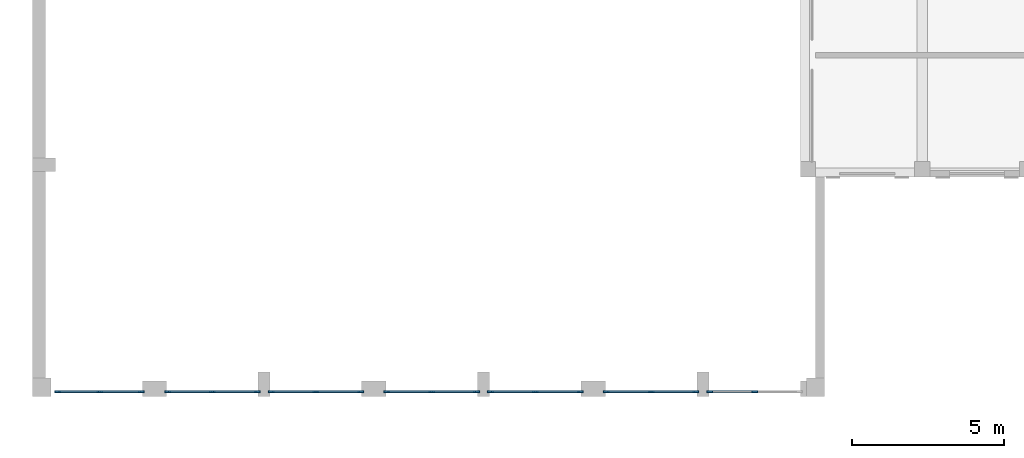
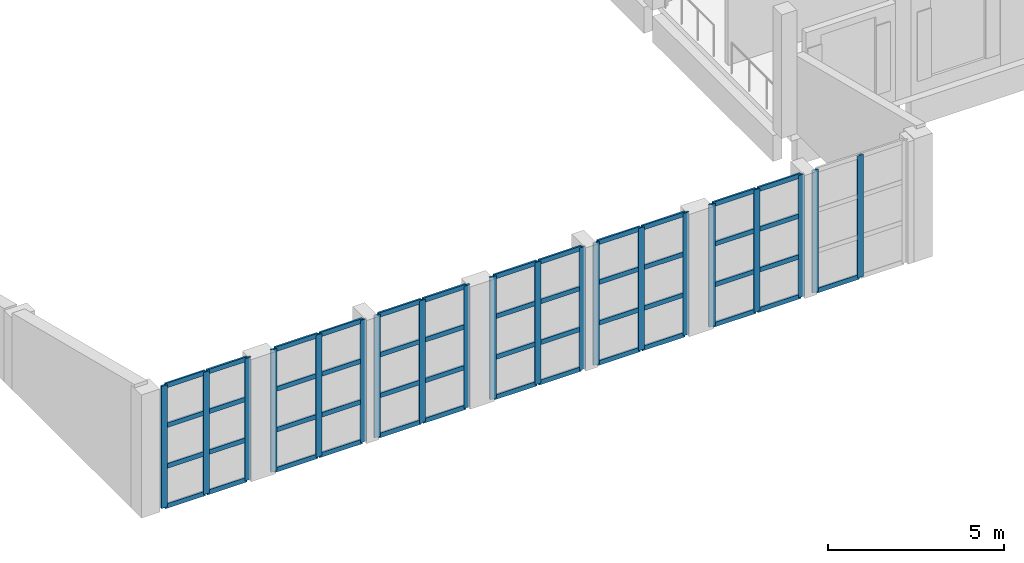
# One storey, part 3 of 54: 69 members, 7 elements without a shape of their own.
"""IFC4 building model written with IfcOpenShell, lengths in metres."""

from ifc_helpers import new_model, si_unit, direction, frame, origin, origin_2d, place, context, subcontext, project, spatial, rectangle, extrude, material, layer, layer_set, material_profile, profile_set, type_object, element, aggregate, save


model = new_model("IFC4")

# Units and contexts
model_context = context("Model", 3, precision=1e-05, world=origin(), true_north=direction((0.0, 1.0)))
body_context = subcontext(model_context, "Body", "Model", "MODEL_VIEW")
ifc_project = project(units=[si_unit("LENGTHUNIT", "METRE"), si_unit("AREAUNIT", "SQUARE_METRE"), si_unit("VOLUMEUNIT", "CUBIC_METRE"), si_unit("PLANEANGLEUNIT", "RADIAN"), si_unit("MASSUNIT", "GRAM", prefix="KILO")], contexts=[model_context])

# Site, building, storey
site_placement = place(None, origin())
site = spatial("IfcSite", under=ifc_project, at=site_placement, CompositionType="ELEMENT")
building_placement = place(site_placement, origin())
building = spatial("IfcBuilding", under=site, at=building_placement, Name="Ussher Court Research Institute", CompositionType="ELEMENT")
storey_placement = place(building_placement, frame((0.0, 0.0, 14.39990234375)))
storey = spatial("IfcBuildingStorey", under=building, at=storey_placement, Name="L03", CompositionType="ELEMENT", Elevation=14.39990234375)

# Curtain wall, members
ifc_material_1 = material(Name="Bronze anodised aluminium with low-e glass", Category="aluminium")
ifc_layer = layer(ifc_material_1, 0.159912109375)
ifc_layer_set = layer_set([ifc_layer], Name="Bronze anodised aluminium with low-e glass")
curtain_wall_type = type_object("IfcCurtainWallType", Name="Curtain wall lecture theatre gable glazing", PredefinedType="NOTDEFINED", material=ifc_layer_set)
curtain_wall_1_placement = place(storey_placement, origin())
curtain_wall_1 = element("IfcCurtainWall", 1, at=curtain_wall_1_placement, inside=storey, type_object=curtain_wall_type, Name="Curtain wall CW5 L03", PredefinedType="NOTDEFINED")
ifc_material_2 = material(Name="Bronze anodised aluminium", Category="aluminium")
ifc_material_profile_1 = material_profile(ifc_material_2, rectangle(XDim=0.06005859375, YDim=0.199951171875, at=origin_2d()), Name="Mullion 60x200")
ifc_profile_set_1 = profile_set([ifc_material_profile_1], Name="Bronze anodised aluminium")
member_type_1 = type_object("IfcMemberType", Name="Mullion 60x200", PredefinedType="MULLION", material=ifc_profile_set_1)
member_1_placement = place(storey_placement, frame((26.300048828125, 3.75, 0.0), z_axis=(0.0, 0.0, 1.0), x_axis=(0.0, -1.0, 0.0)))
member_1 = element("IfcMember", 2, at=member_1_placement, type_object=member_type_1, Name="CW5 mullion 2", PredefinedType="MULLION", context=body_context, shape_type="SweptSolid", body=[
    extrude(rectangle(XDim=0.06005859375, YDim=0.199951171875, at=origin_2d()), origin(), (0.0, 0.0, 1.0), 4.25),
])
member_2_placement = place(storey_placement, frame((24.830078125, 3.75, 0.0), z_axis=(0.0, 0.0, 1.0), x_axis=(0.0, -1.0, 0.0)))
member_2 = element("IfcMember", 3, at=member_2_placement, type_object=member_type_1, Name="CW5 mullion 3", PredefinedType="MULLION", context=body_context, shape_type="SweptSolid", body=[
    extrude(rectangle(XDim=0.06005859375, YDim=0.199951171875, at=origin_2d()), origin(), (0.0, 0.0, 1.0), 4.25),
])

curtain_wall_2_placement = place(storey_placement, origin())
curtain_wall_2 = element("IfcCurtainWall", 4, at=curtain_wall_2_placement, inside=storey, type_object=curtain_wall_type, Name="Curtain wall CW5 L03", PredefinedType="NOTDEFINED")
member_3_placement = place(storey_placement, frame((24.3701171875, 3.75, 0.0), z_axis=(0.0, 0.0, 1.0), x_axis=(0.0, -1.0, 0.0)))
member_3 = element("IfcMember", 5, at=member_3_placement, type_object=member_type_1, Name="CW5 mullion 1", PredefinedType="MULLION", context=body_context, shape_type="SweptSolid", body=[
    extrude(rectangle(XDim=0.06005859375, YDim=0.199951171875, at=origin_2d()), origin(), (0.0, 0.0, 1.0), 4.25),
])
member_4_placement = place(storey_placement, frame((22.89990234375, 3.75, 0.0), z_axis=(0.0, 0.0, 1.0), x_axis=(0.0, -1.0, 0.0)))
member_4 = element("IfcMember", 6, at=member_4_placement, type_object=member_type_1, Name="CW5 mullion 2", PredefinedType="MULLION", context=body_context, shape_type="SweptSolid", body=[
    extrude(rectangle(XDim=0.06005859375, YDim=0.199951171875, at=origin_2d()), origin(), (0.0, 0.0, 1.0), 4.25),
])
member_5_placement = place(storey_placement, frame((21.429931640625, 3.75, 0.0), z_axis=(0.0, 0.0, 1.0), x_axis=(0.0, -1.0, 0.0)))
member_5 = element("IfcMember", 7, at=member_5_placement, type_object=member_type_1, Name="CW5 mullion 3", PredefinedType="MULLION", context=body_context, shape_type="SweptSolid", body=[
    extrude(rectangle(XDim=0.06005859375, YDim=0.199951171875, at=origin_2d()), origin(), (0.0, 0.0, 1.0), 4.25),
])

curtain_wall_3_placement = place(storey_placement, origin())
curtain_wall_3 = element("IfcCurtainWall", 8, at=curtain_wall_3_placement, inside=storey, type_object=curtain_wall_type, Name="Curtain wall CW5 L03", PredefinedType="NOTDEFINED")
member_6_placement = place(storey_placement, frame((20.570068359375, 3.75, 0.0), z_axis=(0.0, 0.0, 1.0), x_axis=(0.0, -1.0, 0.0)))
member_6 = element("IfcMember", 9, at=member_6_placement, type_object=member_type_1, Name="CW5 mullion 1", PredefinedType="MULLION", context=body_context, shape_type="SweptSolid", body=[
    extrude(rectangle(XDim=0.06005859375, YDim=0.199951171875, at=origin_2d()), origin(), (0.0, 0.0, 1.0), 4.25),
])
member_7_placement = place(storey_placement, frame((19.10009765625, 3.75, 0.0), z_axis=(0.0, 0.0, 1.0), x_axis=(0.0, -1.0, 0.0)))
member_7 = element("IfcMember", 10, at=member_7_placement, type_object=member_type_1, Name="CW5 mullion 2", PredefinedType="MULLION", context=body_context, shape_type="SweptSolid", body=[
    extrude(rectangle(XDim=0.06005859375, YDim=0.199951171875, at=origin_2d()), origin(), (0.0, 0.0, 1.0), 4.25),
])
member_8_placement = place(storey_placement, frame((17.6298828125, 3.75, 0.0), z_axis=(0.0, 0.0, 1.0), x_axis=(0.0, -1.0, 0.0)))
member_8 = element("IfcMember", 11, at=member_8_placement, type_object=member_type_1, Name="CW5 mullion 3", PredefinedType="MULLION", context=body_context, shape_type="SweptSolid", body=[
    extrude(rectangle(XDim=0.06005859375, YDim=0.199951171875, at=origin_2d()), origin(), (0.0, 0.0, 1.0), 4.25),
])

curtain_wall_4_placement = place(storey_placement, origin())
curtain_wall_4 = element("IfcCurtainWall", 12, at=curtain_wall_4_placement, inside=storey, type_object=curtain_wall_type, Name="Curtain wall CW5 L03", PredefinedType="NOTDEFINED")
member_9_placement = place(storey_placement, frame((17.169921875, 3.75, 0.0), z_axis=(0.0, 0.0, 1.0), x_axis=(0.0, -1.0, 0.0)))
member_9 = element("IfcMember", 13, at=member_9_placement, type_object=member_type_1, Name="CW5 mullion 1", PredefinedType="MULLION", context=body_context, shape_type="SweptSolid", body=[
    extrude(rectangle(XDim=0.06005859375, YDim=0.199951171875, at=origin_2d()), origin(), (0.0, 0.0, 1.0), 4.25),
])
member_10_placement = place(storey_placement, frame((15.699951171875, 3.75, 0.0), z_axis=(0.0, 0.0, 1.0), x_axis=(0.0, -1.0, 0.0)))
member_10 = element("IfcMember", 14, at=member_10_placement, type_object=member_type_1, Name="CW5 mullion 2", PredefinedType="MULLION", context=body_context, shape_type="SweptSolid", body=[
    extrude(rectangle(XDim=0.06005859375, YDim=0.199951171875, at=origin_2d()), origin(), (0.0, 0.0, 1.0), 4.25),
])
member_11_placement = place(storey_placement, frame((14.22998046875, 3.75, 0.0), z_axis=(0.0, 0.0, 1.0), x_axis=(0.0, -1.0, 0.0)))
member_11 = element("IfcMember", 15, at=member_11_placement, type_object=member_type_1, Name="CW5 mullion 3", PredefinedType="MULLION", context=body_context, shape_type="SweptSolid", body=[
    extrude(rectangle(XDim=0.06005859375, YDim=0.199951171875, at=origin_2d()), origin(), (0.0, 0.0, 1.0), 4.25),
])

curtain_wall_5_placement = place(storey_placement, origin())
curtain_wall_5 = element("IfcCurtainWall", 16, at=curtain_wall_5_placement, inside=storey, type_object=curtain_wall_type, Name="Curtain wall CW5 L03", PredefinedType="NOTDEFINED")
member_12_placement = place(storey_placement, frame((13.3701171875, 3.75, 0.0), z_axis=(0.0, 0.0, 1.0), x_axis=(0.0, -1.0, 0.0)))
member_12 = element("IfcMember", 17, at=member_12_placement, type_object=member_type_1, Name="CW5 mullion 1", PredefinedType="MULLION", context=body_context, shape_type="SweptSolid", body=[
    extrude(rectangle(XDim=0.06005859375, YDim=0.199951171875, at=origin_2d()), origin(), (0.0, 0.0, 1.0), 4.25),
])
member_13_placement = place(storey_placement, frame((11.89990234375, 3.75, 0.0), z_axis=(0.0, 0.0, 1.0), x_axis=(0.0, -1.0, 0.0)))
member_13 = element("IfcMember", 18, at=member_13_placement, type_object=member_type_1, Name="CW5 mullion 2", PredefinedType="MULLION", context=body_context, shape_type="SweptSolid", body=[
    extrude(rectangle(XDim=0.06005859375, YDim=0.199951171875, at=origin_2d()), origin(), (0.0, 0.0, 1.0), 4.25),
])
member_14_placement = place(storey_placement, frame((10.429931640625, 3.75, 0.0), z_axis=(0.0, 0.0, 1.0), x_axis=(0.0, -1.0, 0.0)))
member_14 = element("IfcMember", 19, at=member_14_placement, type_object=member_type_1, Name="CW5 mullion 3", PredefinedType="MULLION", context=body_context, shape_type="SweptSolid", body=[
    extrude(rectangle(XDim=0.06005859375, YDim=0.199951171875, at=origin_2d()), origin(), (0.0, 0.0, 1.0), 4.25),
])

curtain_wall_6_placement = place(storey_placement, origin())
curtain_wall_6 = element("IfcCurtainWall", 20, at=curtain_wall_6_placement, inside=storey, type_object=curtain_wall_type, Name="Curtain wall CW5 L03", PredefinedType="NOTDEFINED")
member_15_placement = place(storey_placement, frame((9.969970703125, 3.75, 0.0), z_axis=(0.0, 0.0, 1.0), x_axis=(0.0, -1.0, 0.0)))
member_15 = element("IfcMember", 21, at=member_15_placement, type_object=member_type_1, Name="CW5 mullion 1", PredefinedType="MULLION", context=body_context, shape_type="SweptSolid", body=[
    extrude(rectangle(XDim=0.06005859375, YDim=0.199951171875, at=origin_2d()), origin(), (0.0, 0.0, 1.0), 4.25),
])
member_16_placement = place(storey_placement, frame((8.5, 3.75, 0.0), z_axis=(0.0, 0.0, 1.0), x_axis=(0.0, -1.0, 0.0)))
member_16 = element("IfcMember", 22, at=member_16_placement, type_object=member_type_1, Name="CW5 mullion 2", PredefinedType="MULLION", context=body_context, shape_type="SweptSolid", body=[
    extrude(rectangle(XDim=0.06005859375, YDim=0.199951171875, at=origin_2d()), origin(), (0.0, 0.0, 1.0), 4.25),
])
member_17_placement = place(storey_placement, frame((7.030029296875, 3.75, 0.0), z_axis=(0.0, 0.0, 1.0), x_axis=(0.0, -1.0, 0.0)))
member_17 = element("IfcMember", 23, at=member_17_placement, type_object=member_type_1, Name="CW5 mullion 3", PredefinedType="MULLION", context=body_context, shape_type="SweptSolid", body=[
    extrude(rectangle(XDim=0.06005859375, YDim=0.199951171875, at=origin_2d()), origin(), (0.0, 0.0, 1.0), 4.25),
])

curtain_wall_7_placement = place(storey_placement, origin())
curtain_wall_7 = element("IfcCurtainWall", 24, at=curtain_wall_7_placement, inside=storey, type_object=curtain_wall_type, Name="Curtain wall CW5 L03", PredefinedType="NOTDEFINED")
member_18_placement = place(storey_placement, frame((6.169921875, 3.75, 0.0), z_axis=(0.0, 0.0, 1.0), x_axis=(0.0, -1.0, 0.0)))
member_18 = element("IfcMember", 25, at=member_18_placement, type_object=member_type_1, Name="CW5 mullion 1", PredefinedType="MULLION", context=body_context, shape_type="SweptSolid", body=[
    extrude(rectangle(XDim=0.06005859375, YDim=0.199951171875, at=origin_2d()), origin(), (0.0, 0.0, 1.0), 4.25),
])
member_19_placement = place(storey_placement, frame((4.800048828125, 3.75, 0.0), z_axis=(0.0, 0.0, 1.0), x_axis=(0.0, -1.0, 0.0)))
member_19 = element("IfcMember", 26, at=member_19_placement, type_object=member_type_1, Name="CW5 mullion 2", PredefinedType="MULLION", context=body_context, shape_type="SweptSolid", body=[
    extrude(rectangle(XDim=0.06005859375, YDim=0.199951171875, at=origin_2d()), origin(), (0.0, 0.0, 1.0), 4.25),
])
member_20_placement = place(storey_placement, frame((3.429931640625, 3.75, 0.0), z_axis=(0.0, 0.0, 1.0), x_axis=(0.0, -1.0, 0.0)))
member_20 = element("IfcMember", 27, at=member_20_placement, type_object=member_type_1, Name="CW5 mullion 3", PredefinedType="MULLION", context=body_context, shape_type="SweptSolid", body=[
    extrude(rectangle(XDim=0.06005859375, YDim=0.199951171875, at=origin_2d()), origin(), (0.0, 0.0, 1.0), 4.25),
])

# Member
ifc_material_3 = material(Name="Bronze anodised aluminium", Category="aluminium")
ifc_material_profile_2 = material_profile(ifc_material_3, rectangle(XDim=0.06005859375, YDim=0.159912109375, at=origin_2d()), Name="Transom 60x160")
ifc_profile_set_2 = profile_set([ifc_material_profile_2], Name="Bronze anodised aluminium")
member_type_2 = type_object("IfcMemberType", Name="Transom 60x160", PredefinedType="USERDEFINED", material=ifc_profile_set_2)
member_21_placement = place(storey_placement, frame((26.27001953125, 3.75, 0.030029296875), z_axis=(-1.0, 0.0, 0.0), x_axis=(0.0, -1.0, 0.0)))
member_21 = element("IfcMember", 28, at=member_21_placement, type_object=member_type_2, Name="CW5 transom 2.1", ObjectType="TRANSOM", PredefinedType="USERDEFINED", context=body_context, shape_type="SweptSolid", body=[
    extrude(rectangle(XDim=0.06005859375, YDim=0.159912109375, at=origin_2d()), origin(), (0.0, 0.0, 1.0), 1.409912109375),
])

aggregate(curtain_wall_1, [member_1, member_2, member_21])

member_22_placement = place(storey_placement, frame((24.340087890625, 3.75, 0.030029296875), z_axis=(-1.0, 0.0, 0.0), x_axis=(0.0, -1.0, 0.0)))
member_22 = element("IfcMember", 29, at=member_22_placement, type_object=member_type_2, Name="CW5 transom 1.1", ObjectType="TRANSOM", PredefinedType="USERDEFINED", context=body_context, shape_type="SweptSolid", body=[
    extrude(rectangle(XDim=0.06005859375, YDim=0.159912109375, at=origin_2d()), origin(), (0.0, 0.0, 1.0), 1.41015625),
])

member_23_placement = place(storey_placement, frame((24.340087890625, 3.75, 1.416748046875), z_axis=(-1.0, 0.0, 0.0), x_axis=(0.0, -1.0, 0.0)))
member_23 = element("IfcMember", 30, at=member_23_placement, type_object=member_type_2, Name="CW5 transom 1.2", ObjectType="TRANSOM", PredefinedType="USERDEFINED", context=body_context, shape_type="SweptSolid", body=[
    extrude(rectangle(XDim=0.06005859375, YDim=0.159912109375, at=origin_2d()), origin(), (0.0, 0.0, 1.0), 1.41015625),
])

member_24_placement = place(storey_placement, frame((24.340087890625, 3.75, 2.83349609375), z_axis=(-1.0, 0.0, 0.0), x_axis=(0.0, -1.0, 0.0)))
member_24 = element("IfcMember", 31, at=member_24_placement, type_object=member_type_2, Name="CW5 transom 1.3", ObjectType="TRANSOM", PredefinedType="USERDEFINED", context=body_context, shape_type="SweptSolid", body=[
    extrude(rectangle(XDim=0.06005859375, YDim=0.159912109375, at=origin_2d()), origin(), (0.0, 0.0, 1.0), 1.41015625),
])

member_25_placement = place(storey_placement, frame((24.340087890625, 3.75, 4.22021484375), z_axis=(-1.0, 0.0, 0.0), x_axis=(0.0, -1.0, 0.0)))
member_25 = element("IfcMember", 32, at=member_25_placement, type_object=member_type_2, Name="CW5 transom 1.4", ObjectType="TRANSOM", PredefinedType="USERDEFINED", context=body_context, shape_type="SweptSolid", body=[
    extrude(rectangle(XDim=0.06005859375, YDim=0.159912109375, at=origin_2d()), origin(), (0.0, 0.0, 1.0), 1.41015625),
])

member_26_placement = place(storey_placement, frame((22.8701171875, 3.75, 0.030029296875), z_axis=(-1.0, 0.0, 0.0), x_axis=(0.0, -1.0, 0.0)))
member_26 = element("IfcMember", 33, at=member_26_placement, type_object=member_type_2, Name="CW5 transom 2.1", ObjectType="TRANSOM", PredefinedType="USERDEFINED", context=body_context, shape_type="SweptSolid", body=[
    extrude(rectangle(XDim=0.06005859375, YDim=0.159912109375, at=origin_2d()), origin(), (0.0, 0.0, 1.0), 1.41015625),
])

member_27_placement = place(storey_placement, frame((22.8701171875, 3.75, 1.416748046875), z_axis=(-1.0, 0.0, 0.0), x_axis=(0.0, -1.0, 0.0)))
member_27 = element("IfcMember", 34, at=member_27_placement, type_object=member_type_2, Name="CW5 transom 2.2", ObjectType="TRANSOM", PredefinedType="USERDEFINED", context=body_context, shape_type="SweptSolid", body=[
    extrude(rectangle(XDim=0.06005859375, YDim=0.159912109375, at=origin_2d()), origin(), (0.0, 0.0, 1.0), 1.41015625),
])

member_28_placement = place(storey_placement, frame((22.8701171875, 3.75, 2.83349609375), z_axis=(-1.0, 0.0, 0.0), x_axis=(0.0, -1.0, 0.0)))
member_28 = element("IfcMember", 35, at=member_28_placement, type_object=member_type_2, Name="CW5 transom 2.3", ObjectType="TRANSOM", PredefinedType="USERDEFINED", context=body_context, shape_type="SweptSolid", body=[
    extrude(rectangle(XDim=0.06005859375, YDim=0.159912109375, at=origin_2d()), origin(), (0.0, 0.0, 1.0), 1.41015625),
])

member_29_placement = place(storey_placement, frame((22.8701171875, 3.75, 4.22021484375), z_axis=(-1.0, 0.0, 0.0), x_axis=(0.0, -1.0, 0.0)))
member_29 = element("IfcMember", 36, at=member_29_placement, type_object=member_type_2, Name="CW5 transom 2.4", ObjectType="TRANSOM", PredefinedType="USERDEFINED", context=body_context, shape_type="SweptSolid", body=[
    extrude(rectangle(XDim=0.06005859375, YDim=0.159912109375, at=origin_2d()), origin(), (0.0, 0.0, 1.0), 1.41015625),
])

aggregate(curtain_wall_2, [member_3, member_4, member_5, member_22, member_23, member_24, member_25, member_26, member_27, member_28, member_29])

member_30_placement = place(storey_placement, frame((20.5400390625, 3.75, 0.030029296875), z_axis=(-1.0, 0.0, 0.0), x_axis=(0.0, -1.0, 0.0)))
member_30 = element("IfcMember", 37, at=member_30_placement, type_object=member_type_2, Name="CW5 transom 1.1", ObjectType="TRANSOM", PredefinedType="USERDEFINED", context=body_context, shape_type="SweptSolid", body=[
    extrude(rectangle(XDim=0.06005859375, YDim=0.159912109375, at=origin_2d()), origin(), (0.0, 0.0, 1.0), 1.41015625),
])

member_31_placement = place(storey_placement, frame((20.5400390625, 3.75, 1.416748046875), z_axis=(-1.0, 0.0, 0.0), x_axis=(0.0, -1.0, 0.0)))
member_31 = element("IfcMember", 38, at=member_31_placement, type_object=member_type_2, Name="CW5 transom 1.2", ObjectType="TRANSOM", PredefinedType="USERDEFINED", context=body_context, shape_type="SweptSolid", body=[
    extrude(rectangle(XDim=0.06005859375, YDim=0.159912109375, at=origin_2d()), origin(), (0.0, 0.0, 1.0), 1.41015625),
])

member_32_placement = place(storey_placement, frame((20.5400390625, 3.75, 2.83349609375), z_axis=(-1.0, 0.0, 0.0), x_axis=(0.0, -1.0, 0.0)))
member_32 = element("IfcMember", 39, at=member_32_placement, type_object=member_type_2, Name="CW5 transom 1.3", ObjectType="TRANSOM", PredefinedType="USERDEFINED", context=body_context, shape_type="SweptSolid", body=[
    extrude(rectangle(XDim=0.06005859375, YDim=0.159912109375, at=origin_2d()), origin(), (0.0, 0.0, 1.0), 1.41015625),
])

member_33_placement = place(storey_placement, frame((20.5400390625, 3.75, 4.22021484375), z_axis=(-1.0, 0.0, 0.0), x_axis=(0.0, -1.0, 0.0)))
member_33 = element("IfcMember", 40, at=member_33_placement, type_object=member_type_2, Name="CW5 transom 1.4", ObjectType="TRANSOM", PredefinedType="USERDEFINED", context=body_context, shape_type="SweptSolid", body=[
    extrude(rectangle(XDim=0.06005859375, YDim=0.159912109375, at=origin_2d()), origin(), (0.0, 0.0, 1.0), 1.41015625),
])

member_34_placement = place(storey_placement, frame((19.070068359375, 3.75, 0.030029296875), z_axis=(-1.0, 0.0, 0.0), x_axis=(0.0, -1.0, 0.0)))
member_34 = element("IfcMember", 41, at=member_34_placement, type_object=member_type_2, Name="CW5 transom 2.1", ObjectType="TRANSOM", PredefinedType="USERDEFINED", context=body_context, shape_type="SweptSolid", body=[
    extrude(rectangle(XDim=0.06005859375, YDim=0.159912109375, at=origin_2d()), origin(), (0.0, 0.0, 1.0), 1.41015625),
])

member_35_placement = place(storey_placement, frame((19.070068359375, 3.75, 1.416748046875), z_axis=(-1.0, 0.0, 0.0), x_axis=(0.0, -1.0, 0.0)))
member_35 = element("IfcMember", 42, at=member_35_placement, type_object=member_type_2, Name="CW5 transom 2.2", ObjectType="TRANSOM", PredefinedType="USERDEFINED", context=body_context, shape_type="SweptSolid", body=[
    extrude(rectangle(XDim=0.06005859375, YDim=0.159912109375, at=origin_2d()), origin(), (0.0, 0.0, 1.0), 1.41015625),
])

member_36_placement = place(storey_placement, frame((19.070068359375, 3.75, 2.83349609375), z_axis=(-1.0, 0.0, 0.0), x_axis=(0.0, -1.0, 0.0)))
member_36 = element("IfcMember", 43, at=member_36_placement, type_object=member_type_2, Name="CW5 transom 2.3", ObjectType="TRANSOM", PredefinedType="USERDEFINED", context=body_context, shape_type="SweptSolid", body=[
    extrude(rectangle(XDim=0.06005859375, YDim=0.159912109375, at=origin_2d()), origin(), (0.0, 0.0, 1.0), 1.41015625),
])

member_37_placement = place(storey_placement, frame((19.070068359375, 3.75, 4.22021484375), z_axis=(-1.0, 0.0, 0.0), x_axis=(0.0, -1.0, 0.0)))
member_37 = element("IfcMember", 44, at=member_37_placement, type_object=member_type_2, Name="CW5 transom 2.4", ObjectType="TRANSOM", PredefinedType="USERDEFINED", context=body_context, shape_type="SweptSolid", body=[
    extrude(rectangle(XDim=0.06005859375, YDim=0.159912109375, at=origin_2d()), origin(), (0.0, 0.0, 1.0), 1.41015625),
])

aggregate(curtain_wall_3, [member_6, member_7, member_8, member_30, member_31, member_32, member_33, member_34, member_35, member_36, member_37])

member_38_placement = place(storey_placement, frame((17.139892578125, 3.75, 0.030029296875), z_axis=(-1.0, 0.0, 0.0), x_axis=(0.0, -1.0, 0.0)))
member_38 = element("IfcMember", 45, at=member_38_placement, type_object=member_type_2, Name="CW5 transom 1.1", ObjectType="TRANSOM", PredefinedType="USERDEFINED", context=body_context, shape_type="SweptSolid", body=[
    extrude(rectangle(XDim=0.06005859375, YDim=0.159912109375, at=origin_2d()), origin(), (0.0, 0.0, 1.0), 1.409912109375),
])

member_39_placement = place(storey_placement, frame((17.139892578125, 3.75, 1.416748046875), z_axis=(-1.0, 0.0, 0.0), x_axis=(0.0, -1.0, 0.0)))
member_39 = element("IfcMember", 46, at=member_39_placement, type_object=member_type_2, Name="CW5 transom 1.2", ObjectType="TRANSOM", PredefinedType="USERDEFINED", context=body_context, shape_type="SweptSolid", body=[
    extrude(rectangle(XDim=0.06005859375, YDim=0.159912109375, at=origin_2d()), origin(), (0.0, 0.0, 1.0), 1.409912109375),
])

member_40_placement = place(storey_placement, frame((17.139892578125, 3.75, 2.83349609375), z_axis=(-1.0, 0.0, 0.0), x_axis=(0.0, -1.0, 0.0)))
member_40 = element("IfcMember", 47, at=member_40_placement, type_object=member_type_2, Name="CW5 transom 1.3", ObjectType="TRANSOM", PredefinedType="USERDEFINED", context=body_context, shape_type="SweptSolid", body=[
    extrude(rectangle(XDim=0.06005859375, YDim=0.159912109375, at=origin_2d()), origin(), (0.0, 0.0, 1.0), 1.409912109375),
])

member_41_placement = place(storey_placement, frame((17.139892578125, 3.75, 4.22021484375), z_axis=(-1.0, 0.0, 0.0), x_axis=(0.0, -1.0, 0.0)))
member_41 = element("IfcMember", 48, at=member_41_placement, type_object=member_type_2, Name="CW5 transom 1.4", ObjectType="TRANSOM", PredefinedType="USERDEFINED", context=body_context, shape_type="SweptSolid", body=[
    extrude(rectangle(XDim=0.06005859375, YDim=0.159912109375, at=origin_2d()), origin(), (0.0, 0.0, 1.0), 1.409912109375),
])

member_42_placement = place(storey_placement, frame((15.669921875, 3.75, 0.030029296875), z_axis=(-1.0, 0.0, 0.0), x_axis=(0.0, -1.0, 0.0)))
member_42 = element("IfcMember", 49, at=member_42_placement, type_object=member_type_2, Name="CW5 transom 2.1", ObjectType="TRANSOM", PredefinedType="USERDEFINED", context=body_context, shape_type="SweptSolid", body=[
    extrude(rectangle(XDim=0.06005859375, YDim=0.159912109375, at=origin_2d()), origin(), (0.0, 0.0, 1.0), 1.409912109375),
])

member_43_placement = place(storey_placement, frame((15.669921875, 3.75, 1.416748046875), z_axis=(-1.0, 0.0, 0.0), x_axis=(0.0, -1.0, 0.0)))
member_43 = element("IfcMember", 50, at=member_43_placement, type_object=member_type_2, Name="CW5 transom 2.2", ObjectType="TRANSOM", PredefinedType="USERDEFINED", context=body_context, shape_type="SweptSolid", body=[
    extrude(rectangle(XDim=0.06005859375, YDim=0.159912109375, at=origin_2d()), origin(), (0.0, 0.0, 1.0), 1.409912109375),
])

member_44_placement = place(storey_placement, frame((15.669921875, 3.75, 2.83349609375), z_axis=(-1.0, 0.0, 0.0), x_axis=(0.0, -1.0, 0.0)))
member_44 = element("IfcMember", 51, at=member_44_placement, type_object=member_type_2, Name="CW5 transom 2.3", ObjectType="TRANSOM", PredefinedType="USERDEFINED", context=body_context, shape_type="SweptSolid", body=[
    extrude(rectangle(XDim=0.06005859375, YDim=0.159912109375, at=origin_2d()), origin(), (0.0, 0.0, 1.0), 1.409912109375),
])

member_45_placement = place(storey_placement, frame((15.669921875, 3.75, 4.22021484375), z_axis=(-1.0, 0.0, 0.0), x_axis=(0.0, -1.0, 0.0)))
member_45 = element("IfcMember", 52, at=member_45_placement, type_object=member_type_2, Name="CW5 transom 2.4", ObjectType="TRANSOM", PredefinedType="USERDEFINED", context=body_context, shape_type="SweptSolid", body=[
    extrude(rectangle(XDim=0.06005859375, YDim=0.159912109375, at=origin_2d()), origin(), (0.0, 0.0, 1.0), 1.409912109375),
])

aggregate(curtain_wall_4, [member_9, member_10, member_11, member_38, member_39, member_40, member_41, member_42, member_43, member_44, member_45])

member_46_placement = place(storey_placement, frame((13.340087890625, 3.75, 0.030029296875), z_axis=(-1.0, 0.0, 0.0), x_axis=(0.0, -1.0, 0.0)))
member_46 = element("IfcMember", 53, at=member_46_placement, type_object=member_type_2, Name="CW5 transom 1.1", ObjectType="TRANSOM", PredefinedType="USERDEFINED", context=body_context, shape_type="SweptSolid", body=[
    extrude(rectangle(XDim=0.06005859375, YDim=0.159912109375, at=origin_2d()), origin(), (0.0, 0.0, 1.0), 1.41015625),
])

member_47_placement = place(storey_placement, frame((13.340087890625, 3.75, 1.416748046875), z_axis=(-1.0, 0.0, 0.0), x_axis=(0.0, -1.0, 0.0)))
member_47 = element("IfcMember", 54, at=member_47_placement, type_object=member_type_2, Name="CW5 transom 1.2", ObjectType="TRANSOM", PredefinedType="USERDEFINED", context=body_context, shape_type="SweptSolid", body=[
    extrude(rectangle(XDim=0.06005859375, YDim=0.159912109375, at=origin_2d()), origin(), (0.0, 0.0, 1.0), 1.41015625),
])

member_48_placement = place(storey_placement, frame((13.340087890625, 3.75, 2.83349609375), z_axis=(-1.0, 0.0, 0.0), x_axis=(0.0, -1.0, 0.0)))
member_48 = element("IfcMember", 55, at=member_48_placement, type_object=member_type_2, Name="CW5 transom 1.3", ObjectType="TRANSOM", PredefinedType="USERDEFINED", context=body_context, shape_type="SweptSolid", body=[
    extrude(rectangle(XDim=0.06005859375, YDim=0.159912109375, at=origin_2d()), origin(), (0.0, 0.0, 1.0), 1.41015625),
])

member_49_placement = place(storey_placement, frame((13.340087890625, 3.75, 4.22021484375), z_axis=(-1.0, 0.0, 0.0), x_axis=(0.0, -1.0, 0.0)))
member_49 = element("IfcMember", 56, at=member_49_placement, type_object=member_type_2, Name="CW5 transom 1.4", ObjectType="TRANSOM", PredefinedType="USERDEFINED", context=body_context, shape_type="SweptSolid", body=[
    extrude(rectangle(XDim=0.06005859375, YDim=0.159912109375, at=origin_2d()), origin(), (0.0, 0.0, 1.0), 1.41015625),
])

member_50_placement = place(storey_placement, frame((11.8701171875, 3.75, 0.030029296875), z_axis=(-1.0, 0.0, 0.0), x_axis=(0.0, -1.0, 0.0)))
member_50 = element("IfcMember", 57, at=member_50_placement, type_object=member_type_2, Name="CW5 transom 2.1", ObjectType="TRANSOM", PredefinedType="USERDEFINED", context=body_context, shape_type="SweptSolid", body=[
    extrude(rectangle(XDim=0.06005859375, YDim=0.159912109375, at=origin_2d()), origin(), (0.0, 0.0, 1.0), 1.41015625),
])

member_51_placement = place(storey_placement, frame((11.8701171875, 3.75, 1.416748046875), z_axis=(-1.0, 0.0, 0.0), x_axis=(0.0, -1.0, 0.0)))
member_51 = element("IfcMember", 58, at=member_51_placement, type_object=member_type_2, Name="CW5 transom 2.2", ObjectType="TRANSOM", PredefinedType="USERDEFINED", context=body_context, shape_type="SweptSolid", body=[
    extrude(rectangle(XDim=0.06005859375, YDim=0.159912109375, at=origin_2d()), origin(), (0.0, 0.0, 1.0), 1.41015625),
])

member_52_placement = place(storey_placement, frame((11.8701171875, 3.75, 2.83349609375), z_axis=(-1.0, 0.0, 0.0), x_axis=(0.0, -1.0, 0.0)))
member_52 = element("IfcMember", 59, at=member_52_placement, type_object=member_type_2, Name="CW5 transom 2.3", ObjectType="TRANSOM", PredefinedType="USERDEFINED", context=body_context, shape_type="SweptSolid", body=[
    extrude(rectangle(XDim=0.06005859375, YDim=0.159912109375, at=origin_2d()), origin(), (0.0, 0.0, 1.0), 1.41015625),
])

member_53_placement = place(storey_placement, frame((11.8701171875, 3.75, 4.22021484375), z_axis=(-1.0, 0.0, 0.0), x_axis=(0.0, -1.0, 0.0)))
member_53 = element("IfcMember", 60, at=member_53_placement, type_object=member_type_2, Name="CW5 transom 2.4", ObjectType="TRANSOM", PredefinedType="USERDEFINED", context=body_context, shape_type="SweptSolid", body=[
    extrude(rectangle(XDim=0.06005859375, YDim=0.159912109375, at=origin_2d()), origin(), (0.0, 0.0, 1.0), 1.41015625),
])

aggregate(curtain_wall_5, [member_12, member_13, member_14, member_46, member_47, member_48, member_49, member_50, member_51, member_52, member_53])

member_54_placement = place(storey_placement, frame((9.93994140625, 3.75, 0.030029296875), z_axis=(-1.0, 0.0, 0.0), x_axis=(0.0, -1.0, 0.0)))
member_54 = element("IfcMember", 61, at=member_54_placement, type_object=member_type_2, Name="CW5 transom 1.1", ObjectType="TRANSOM", PredefinedType="USERDEFINED", context=body_context, shape_type="SweptSolid", body=[
    extrude(rectangle(XDim=0.06005859375, YDim=0.159912109375, at=origin_2d()), origin(), (0.0, 0.0, 1.0), 1.409912109375),
])

member_55_placement = place(storey_placement, frame((9.93994140625, 3.75, 1.416748046875), z_axis=(-1.0, 0.0, 0.0), x_axis=(0.0, -1.0, 0.0)))
member_55 = element("IfcMember", 62, at=member_55_placement, type_object=member_type_2, Name="CW5 transom 1.2", ObjectType="TRANSOM", PredefinedType="USERDEFINED", context=body_context, shape_type="SweptSolid", body=[
    extrude(rectangle(XDim=0.06005859375, YDim=0.159912109375, at=origin_2d()), origin(), (0.0, 0.0, 1.0), 1.409912109375),
])

member_56_placement = place(storey_placement, frame((9.93994140625, 3.75, 2.83349609375), z_axis=(-1.0, 0.0, 0.0), x_axis=(0.0, -1.0, 0.0)))
member_56 = element("IfcMember", 63, at=member_56_placement, type_object=member_type_2, Name="CW5 transom 1.3", ObjectType="TRANSOM", PredefinedType="USERDEFINED", context=body_context, shape_type="SweptSolid", body=[
    extrude(rectangle(XDim=0.06005859375, YDim=0.159912109375, at=origin_2d()), origin(), (0.0, 0.0, 1.0), 1.409912109375),
])

member_57_placement = place(storey_placement, frame((9.93994140625, 3.75, 4.22021484375), z_axis=(-1.0, 0.0, 0.0), x_axis=(0.0, -1.0, 0.0)))
member_57 = element("IfcMember", 64, at=member_57_placement, type_object=member_type_2, Name="CW5 transom 1.4", ObjectType="TRANSOM", PredefinedType="USERDEFINED", context=body_context, shape_type="SweptSolid", body=[
    extrude(rectangle(XDim=0.06005859375, YDim=0.159912109375, at=origin_2d()), origin(), (0.0, 0.0, 1.0), 1.409912109375),
])

member_58_placement = place(storey_placement, frame((8.469970703125, 3.75, 0.030029296875), z_axis=(-1.0, 0.0, 0.0), x_axis=(0.0, -1.0, 0.0)))
member_58 = element("IfcMember", 65, at=member_58_placement, type_object=member_type_2, Name="CW5 transom 2.1", ObjectType="TRANSOM", PredefinedType="USERDEFINED", context=body_context, shape_type="SweptSolid", body=[
    extrude(rectangle(XDim=0.06005859375, YDim=0.159912109375, at=origin_2d()), origin(), (0.0, 0.0, 1.0), 1.409912109375),
])

member_59_placement = place(storey_placement, frame((8.469970703125, 3.75, 1.416748046875), z_axis=(-1.0, 0.0, 0.0), x_axis=(0.0, -1.0, 0.0)))
member_59 = element("IfcMember", 66, at=member_59_placement, type_object=member_type_2, Name="CW5 transom 2.2", ObjectType="TRANSOM", PredefinedType="USERDEFINED", context=body_context, shape_type="SweptSolid", body=[
    extrude(rectangle(XDim=0.06005859375, YDim=0.159912109375, at=origin_2d()), origin(), (0.0, 0.0, 1.0), 1.409912109375),
])

member_60_placement = place(storey_placement, frame((8.469970703125, 3.75, 2.83349609375), z_axis=(-1.0, 0.0, 0.0), x_axis=(0.0, -1.0, 0.0)))
member_60 = element("IfcMember", 67, at=member_60_placement, type_object=member_type_2, Name="CW5 transom 2.3", ObjectType="TRANSOM", PredefinedType="USERDEFINED", context=body_context, shape_type="SweptSolid", body=[
    extrude(rectangle(XDim=0.06005859375, YDim=0.159912109375, at=origin_2d()), origin(), (0.0, 0.0, 1.0), 1.409912109375),
])

member_61_placement = place(storey_placement, frame((8.469970703125, 3.75, 4.22021484375), z_axis=(-1.0, 0.0, 0.0), x_axis=(0.0, -1.0, 0.0)))
member_61 = element("IfcMember", 68, at=member_61_placement, type_object=member_type_2, Name="CW5 transom 2.4", ObjectType="TRANSOM", PredefinedType="USERDEFINED", context=body_context, shape_type="SweptSolid", body=[
    extrude(rectangle(XDim=0.06005859375, YDim=0.159912109375, at=origin_2d()), origin(), (0.0, 0.0, 1.0), 1.409912109375),
])

aggregate(curtain_wall_6, [member_15, member_16, member_17, member_54, member_55, member_56, member_57, member_58, member_59, member_60, member_61])

member_62_placement = place(storey_placement, frame((6.139892578125, 3.75, 0.030029296875), z_axis=(-1.0, 0.0, 0.0), x_axis=(0.0, -1.0, 0.0)))
member_62 = element("IfcMember", 69, at=member_62_placement, type_object=member_type_2, Name="CW5 transom 1.1", ObjectType="TRANSOM", PredefinedType="USERDEFINED", context=body_context, shape_type="SweptSolid", body=[
    extrude(rectangle(XDim=0.06005859375, YDim=0.159912109375, at=origin_2d()), origin(), (0.0, 0.0, 1.0), 1.309814453125),
])

member_63_placement = place(storey_placement, frame((6.139892578125, 3.75, 1.416748046875), z_axis=(-1.0, 0.0, 0.0), x_axis=(0.0, -1.0, 0.0)))
member_63 = element("IfcMember", 70, at=member_63_placement, type_object=member_type_2, Name="CW5 transom 1.2", ObjectType="TRANSOM", PredefinedType="USERDEFINED", context=body_context, shape_type="SweptSolid", body=[
    extrude(rectangle(XDim=0.06005859375, YDim=0.159912109375, at=origin_2d()), origin(), (0.0, 0.0, 1.0), 1.309814453125),
])

member_64_placement = place(storey_placement, frame((6.139892578125, 3.75, 2.83349609375), z_axis=(-1.0, 0.0, 0.0), x_axis=(0.0, -1.0, 0.0)))
member_64 = element("IfcMember", 71, at=member_64_placement, type_object=member_type_2, Name="CW5 transom 1.3", ObjectType="TRANSOM", PredefinedType="USERDEFINED", context=body_context, shape_type="SweptSolid", body=[
    extrude(rectangle(XDim=0.06005859375, YDim=0.159912109375, at=origin_2d()), origin(), (0.0, 0.0, 1.0), 1.309814453125),
])

member_65_placement = place(storey_placement, frame((6.139892578125, 3.75, 4.22021484375), z_axis=(-1.0, 0.0, 0.0), x_axis=(0.0, -1.0, 0.0)))
member_65 = element("IfcMember", 72, at=member_65_placement, type_object=member_type_2, Name="CW5 transom 1.4", ObjectType="TRANSOM", PredefinedType="USERDEFINED", context=body_context, shape_type="SweptSolid", body=[
    extrude(rectangle(XDim=0.06005859375, YDim=0.159912109375, at=origin_2d()), origin(), (0.0, 0.0, 1.0), 1.309814453125),
])

member_66_placement = place(storey_placement, frame((4.77001953125, 3.75, 0.030029296875), z_axis=(-1.0, 0.0, 0.0), x_axis=(0.0, -1.0, 0.0)))
member_66 = element("IfcMember", 73, at=member_66_placement, type_object=member_type_2, Name="CW5 transom 2.1", ObjectType="TRANSOM", PredefinedType="USERDEFINED", context=body_context, shape_type="SweptSolid", body=[
    extrude(rectangle(XDim=0.06005859375, YDim=0.159912109375, at=origin_2d()), origin(), (0.0, 0.0, 1.0), 1.31005859375),
])

member_67_placement = place(storey_placement, frame((4.77001953125, 3.75, 1.416748046875), z_axis=(-1.0, 0.0, 0.0), x_axis=(0.0, -1.0, 0.0)))
member_67 = element("IfcMember", 74, at=member_67_placement, type_object=member_type_2, Name="CW5 transom 2.2", ObjectType="TRANSOM", PredefinedType="USERDEFINED", context=body_context, shape_type="SweptSolid", body=[
    extrude(rectangle(XDim=0.06005859375, YDim=0.159912109375, at=origin_2d()), origin(), (0.0, 0.0, 1.0), 1.31005859375),
])

member_68_placement = place(storey_placement, frame((4.77001953125, 3.75, 2.83349609375), z_axis=(-1.0, 0.0, 0.0), x_axis=(0.0, -1.0, 0.0)))
member_68 = element("IfcMember", 75, at=member_68_placement, type_object=member_type_2, Name="CW5 transom 2.3", ObjectType="TRANSOM", PredefinedType="USERDEFINED", context=body_context, shape_type="SweptSolid", body=[
    extrude(rectangle(XDim=0.06005859375, YDim=0.159912109375, at=origin_2d()), origin(), (0.0, 0.0, 1.0), 1.31005859375),
])

member_69_placement = place(storey_placement, frame((4.77001953125, 3.75, 4.22021484375), z_axis=(-1.0, 0.0, 0.0), x_axis=(0.0, -1.0, 0.0)))
member_69 = element("IfcMember", 76, at=member_69_placement, type_object=member_type_2, Name="CW5 transom 2.4", ObjectType="TRANSOM", PredefinedType="USERDEFINED", context=body_context, shape_type="SweptSolid", body=[
    extrude(rectangle(XDim=0.06005859375, YDim=0.159912109375, at=origin_2d()), origin(), (0.0, 0.0, 1.0), 1.31005859375),
])

aggregate(curtain_wall_7, [member_18, member_19, member_20, member_62, member_63, member_64, member_65, member_66, member_67, member_68, member_69])

save(model, "model.ifc")
